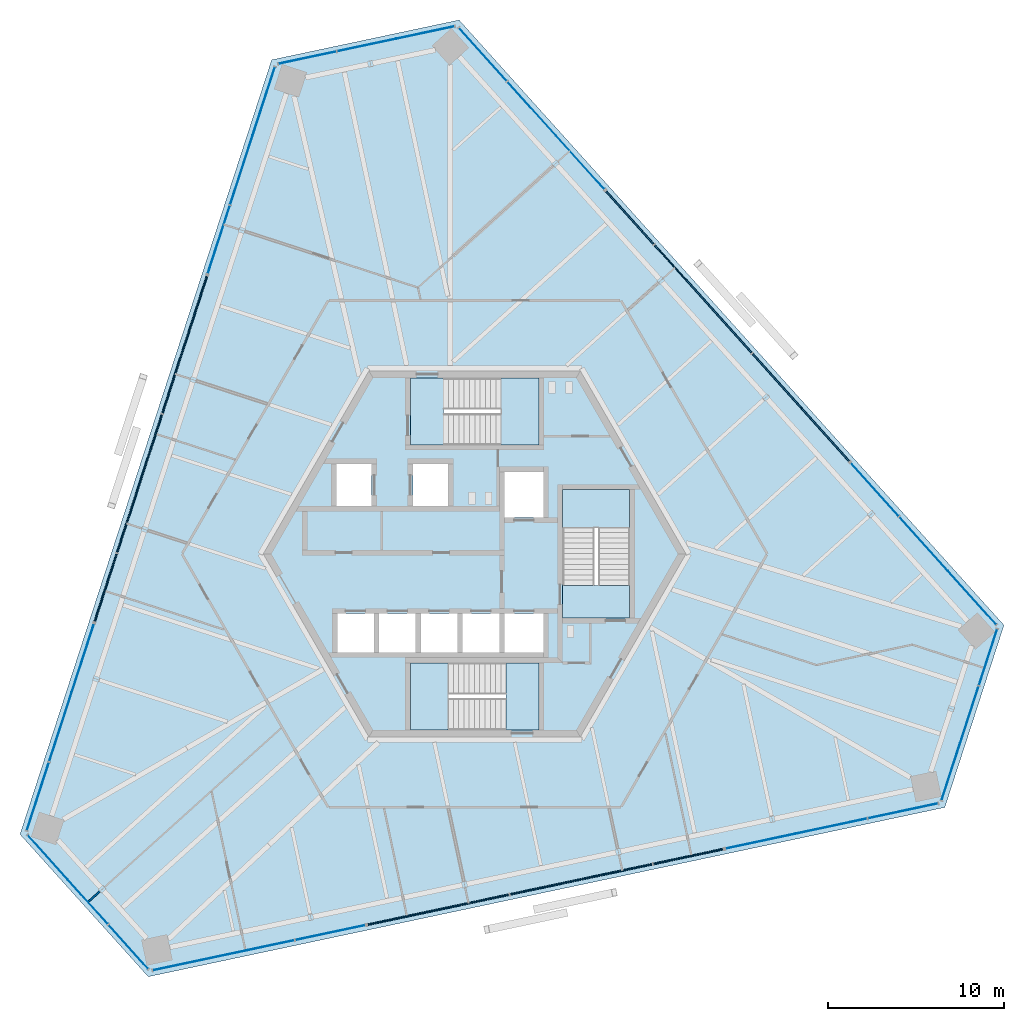
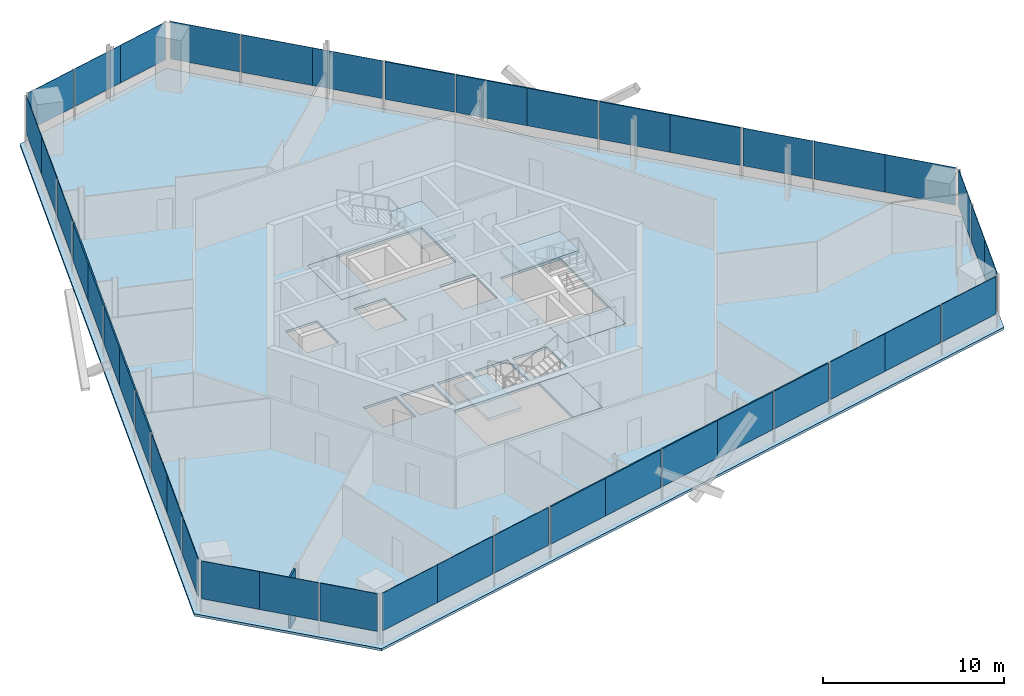
# One storey, part 9 of 15: 42 plates, 7 slabs, 1 wall, 15 elements without a shape of their own.
"""IFC4 building model written with IfcOpenShell, lengths in metres."""

from ifc_helpers import new_model, si_unit, direction, frame, frame_2d, origin, origin_2d, place, context, subcontext, project, spatial, polyline, rectangle, outline, extrude, source, transform, mapped, material, layer, layer_set, type_object, element, aggregate, save


model = new_model("IFC4")

# Units and contexts
model_context = context("Model", 3, precision=1e-05, world=origin(), true_north=direction((0.0, 1.0)))
body_context = subcontext(model_context, "Body", "Model", "MODEL_VIEW")
ifc_project = project(units=[si_unit("LENGTHUNIT", "METRE"), si_unit("AREAUNIT", "SQUARE_METRE"), si_unit("VOLUMEUNIT", "CUBIC_METRE"), si_unit("PLANEANGLEUNIT", "RADIAN"), si_unit("MASSUNIT", "GRAM", prefix="KILO")], contexts=[model_context])

# Site, building, storey
site_placement = place(None, origin())
site = spatial("IfcSite", under=ifc_project, at=site_placement, CompositionType="ELEMENT")
building_placement = place(site_placement, origin())
building = spatial("IfcBuilding", under=site, at=building_placement, Name="Triune Harvest Tower", CompositionType="ELEMENT")
storey_placement = place(building_placement, frame((0.0, 0.0, 277.5)))
storey = spatial("IfcBuildingStorey", under=building, at=storey_placement, Name="L73", CompositionType="ELEMENT", Elevation=277.5)

# Slab
ifc_material_1 = material(Name="Concrete 40 MPa", Category="concrete")
ifc_layer_1 = layer(ifc_material_1, 0.159912109375)
ifc_layer_set_1 = layer_set([ifc_layer_1], Name="Concrete 40 MPa")
slab_type_1 = type_object("IfcSlabType", Name="SL-1 Composite floor slab 160", PredefinedType="FLOOR", material=ifc_layer_set_1)
shared_shape_1 = source(origin(), body_context, "Body", "SweptSolid", [
    extrude(outline(polyline([(30.05810546875, -4.04638671875), (-0.88232421875, 30.31640625), (-11.524658203125, 28.054443359375), (-25.813720703125, -15.922607421875), (-18.533447265625, -24.0078125), (26.696044921875, -14.39404296875), (30.05810546875, -4.04638671875)]), holes=[polyline([(-5.72509765625, -5.590087890625), (-5.72509765625, -3.389892578125), (-7.800048828125, -3.389892578125), (-7.800048828125, -5.590087890625), (-5.72509765625, -5.590087890625)]), polyline([(-3.35009765625, -5.590087890625), (-3.35009765625, -3.389892578125), (-5.425048828125, -3.389892578125), (-5.425048828125, -5.590087890625), (-3.35009765625, -5.590087890625)]), polyline([(-0.97509765625, -5.590087890625), (-0.97509765625, -3.389892578125), (-3.050048828125, -3.389892578125), (-3.050048828125, -5.590087890625), (-0.97509765625, -5.590087890625)]), polyline([(1.39990234375, -5.590087890625), (1.39990234375, -3.389892578125), (-0.675048828125, -3.389892578125), (-0.675048828125, -5.590087890625), (1.39990234375, -5.590087890625)]), polyline([(3.89990234375, 2.06005859375), (3.89990234375, 4.659912109375), (1.699951171875, 4.659912109375), (1.699951171875, 2.06005859375), (3.89990234375, 2.06005859375)]), polyline([(3.89990234375, -5.590087890625), (3.89990234375, -3.389892578125), (1.699951171875, -3.389892578125), (1.699951171875, -5.590087890625), (3.89990234375, -5.590087890625)]), polyline([(-5.85009765625, 2.7099609375), (-5.85009765625, 5.110107421875), (-7.85009765625, 5.110107421875), (-7.85009765625, 2.7099609375), (-5.85009765625, 2.7099609375)]), polyline([(-1.5, 2.7099609375), (-1.5, 5.110107421875), (-3.5, 5.110107421875), (-3.5, 2.7099609375), (-1.5, 2.7099609375)]), polyline([(3.64990234375, 6.18994140625), (3.64990234375, 9.989990234375), (-3.64990234375, 9.989990234375), (-3.64990234375, 6.18994140625), (3.64990234375, 6.18994140625)]), polyline([(3.64990234375, -9.989990234375), (3.64990234375, -6.18994140625), (-3.64990234375, -6.18994140625), (-3.64990234375, -9.989990234375), (3.64990234375, -9.989990234375)]), polyline([(8.800048828125, -3.64990234375), (8.800048828125, 3.64990234375), (5.0, 3.64990234375), (5.0, -3.64990234375), (8.800048828125, -3.64990234375)])]), origin(), (0.0, 0.0, 1.0), 0.159912109375),
])
slab_1_placement = place(storey_placement, frame((0.0, 0.0, -0.159912109375)))
element("IfcSlab", 1, at=slab_1_placement, inside=storey, type_object=slab_type_1, Name="slab/L73/1", PredefinedType="FLOOR", context=body_context, shape_type="MappedRepresentation", body=[
    mapped(shared_shape_1, transform((0.0, 0.0, 0.0), scale=1.0)),
])

# Stair, slabs
ifc_material_2 = material(Name="Concrete 40 MPa", Category="concrete")
stair_type = type_object("IfcStairType", Name="Exit stair 1800 half turn", PredefinedType="HALF_TURN_STAIR", material=ifc_material_2)
stair_1_placement = place(storey_placement, origin())
stair_1 = element("IfcStair", 2, at=stair_1_placement, inside=storey, type_object=stair_type, Name="Exit stair north", PredefinedType="HALF_TURN_STAIR")
ifc_material_3 = material(Name="Concrete 40 MPa", Category="concrete")
ifc_layer_2 = layer(ifc_material_3, 0.199951171875)
ifc_layer_set_2 = layer_set([ifc_layer_2], Name="Concrete 40 MPa")
slab_type_2 = type_object("IfcSlabType", Name="Stair landing 200", PredefinedType="LANDING", material=ifc_layer_set_2)
shared_shape_2 = source(origin(), body_context, "Body", "SweptSolid", [
    extrude(outline(polyline([(1.510009765625, 6.18994140625), (3.64990234375, 6.18994140625), (3.64990234375, 9.989990234375), (1.510009765625, 9.989990234375), (1.510009765625, 6.18994140625)])), origin(), (0.0, 0.0, 1.0), 0.199951171875),
])
slab_2_placement = place(storey_placement, frame((0.0, 0.0, 1.60009765625)))
slab_2 = element("IfcSlab", 3, at=slab_2_placement, type_object=slab_type_2, Name="ST-1 landing 2", PredefinedType="LANDING", context=body_context, shape_type="MappedRepresentation", body=[
    mapped(shared_shape_2, transform((0.0, 0.0, 0.0), scale=1.0)),
])
shared_shape_3 = source(origin(), body_context, "Body", "SweptSolid", [
    extrude(outline(polyline([(-3.64990234375, 6.18994140625), (-1.780029296875, 6.18994140625), (-1.780029296875, 9.989990234375), (-3.64990234375, 9.989990234375), (-3.64990234375, 6.18994140625)])), origin(), (0.0, 0.0, 1.0), 0.199951171875),
])
slab_3_placement = place(storey_placement, frame((0.0, 0.0, -0.199951171875)))
slab_3 = element("IfcSlab", 4, at=slab_3_placement, type_object=slab_type_2, Name="ST-1 landing 1", PredefinedType="LANDING", context=body_context, shape_type="MappedRepresentation", body=[
    mapped(shared_shape_3, transform((0.0, 0.0, 0.0), scale=1.0)),
])
aggregate(stair_1, [slab_3, slab_2])

stair_2_placement = place(storey_placement, origin())
stair_2 = element("IfcStair", 5, at=stair_2_placement, inside=storey, type_object=stair_type, Name="Exit stair south", PredefinedType="HALF_TURN_STAIR")
shared_shape_4 = source(origin(), body_context, "Body", "SweptSolid", [
    extrude(outline(polyline([(-1.510009765625, -6.18994140625), (-3.64990234375, -6.18994140625), (-3.64990234375, -9.989990234375), (-1.510009765625, -9.989990234375), (-1.510009765625, -6.18994140625)])), origin(), (0.0, 0.0, 1.0), 0.199951171875),
])
slab_4_placement = place(storey_placement, frame((0.0, 0.0, 1.60009765625)))
slab_4 = element("IfcSlab", 6, at=slab_4_placement, type_object=slab_type_2, Name="ST-2 landing 2", PredefinedType="LANDING", context=body_context, shape_type="MappedRepresentation", body=[
    mapped(shared_shape_4, transform((0.0, 0.0, 0.0), scale=1.0)),
])
shared_shape_5 = source(origin(), body_context, "Body", "SweptSolid", [
    extrude(outline(polyline([(3.64990234375, -6.18994140625), (1.780029296875, -6.18994140625), (1.780029296875, -9.989990234375), (3.64990234375, -9.989990234375), (3.64990234375, -6.18994140625)])), origin(), (0.0, 0.0, 1.0), 0.199951171875),
])
slab_5_placement = place(storey_placement, frame((0.0, 0.0, -0.199951171875)))
slab_5 = element("IfcSlab", 7, at=slab_5_placement, type_object=slab_type_2, Name="ST-2 landing 1", PredefinedType="LANDING", context=body_context, shape_type="MappedRepresentation", body=[
    mapped(shared_shape_5, transform((0.0, 0.0, 0.0), scale=1.0)),
])
aggregate(stair_2, [slab_5, slab_4])

stair_3_placement = place(storey_placement, origin())
stair_3 = element("IfcStair", 8, at=stair_3_placement, inside=storey, type_object=stair_type, Name="Exit stair east", PredefinedType="HALF_TURN_STAIR")
shared_shape_6 = source(origin(), body_context, "Body", "SweptSolid", [
    extrude(outline(polyline([(8.800048828125, 1.510009765625), (8.800048828125, 3.64990234375), (5.0, 3.64990234375), (5.0, 1.510009765625), (8.800048828125, 1.510009765625)])), origin(), (0.0, 0.0, 1.0), 0.199951171875),
])
slab_6_placement = place(storey_placement, frame((0.0, 0.0, 1.60009765625)))
slab_6 = element("IfcSlab", 9, at=slab_6_placement, type_object=slab_type_2, Name="ST-3 landing 2", PredefinedType="LANDING", context=body_context, shape_type="MappedRepresentation", body=[
    mapped(shared_shape_6, transform((0.0, 0.0, 0.0), scale=1.0)),
])
shared_shape_7 = source(origin(), body_context, "Body", "SweptSolid", [
    extrude(outline(polyline([(8.800048828125, -3.64990234375), (8.800048828125, -1.780029296875), (5.0, -1.780029296875), (5.0, -3.64990234375), (8.800048828125, -3.64990234375)])), origin(), (0.0, 0.0, 1.0), 0.199951171875),
])
slab_7_placement = place(storey_placement, frame((0.0, 0.0, -0.199951171875)))
slab_7 = element("IfcSlab", 10, at=slab_7_placement, type_object=slab_type_2, Name="ST-3 landing 1", PredefinedType="LANDING", context=body_context, shape_type="MappedRepresentation", body=[
    mapped(shared_shape_7, transform((0.0, 0.0, 0.0), scale=1.0)),
])
aggregate(stair_3, [slab_7, slab_6])

# Curtain wall, plate
ifc_material_4 = material(Name="Aluminium bronze anodised", Category="aluminium")
curtain_wall_type_1 = type_object("IfcCurtainWallType", Name="CW-1 Tower stick curtain wall", PredefinedType="NOTDEFINED", material=ifc_material_4)
curtain_wall_1_placement = place(storey_placement, origin())
curtain_wall_1 = element("IfcCurtainWall", 11, at=curtain_wall_1_placement, inside=storey, type_object=curtain_wall_type_1, Name="CW-1 B7-F2 L73 run 1")
ifc_material_5 = material(Name="Glass", Category="glass")
ifc_layer_3 = layer(ifc_material_5, 0.031982421875)
ifc_layer_set_3 = layer_set([ifc_layer_3], Name="Glass")
plate_type_1 = type_object("IfcPlateType", Name="GL-1 panel 32", PredefinedType="CURTAIN_PANEL", material=ifc_layer_set_3)
shared_shape_8 = source(origin(), body_context, "Body", "SweptSolid", [
    extrude(rectangle(XDim=3.376220703125, YDim=0.031982421875, at=origin_2d()), origin(), (0.0, 0.0, 1.0), 2.5400390625),
])
plate_1_placement = place(storey_placement, frame((-2.802001953125, 29.601806640625, 0.89990234375), z_axis=(0.0, 0.0, 1.0), x_axis=(-0.978149078297, -0.207904739307, 0.0)))
plate_1 = element("IfcPlate", 12, at=plate_1_placement, type_object=plate_type_1, Name="CW-1 panel B7-F2 1.1", PredefinedType="CURTAIN_PANEL", context=body_context, shape_type="MappedRepresentation", body=[
    mapped(shared_shape_8, transform((0.0, 0.0, 0.0), scale=1.0)),
])

curtain_wall_2_placement = place(storey_placement, origin())
curtain_wall_2 = element("IfcCurtainWall", 13, at=curtain_wall_2_placement, inside=storey, type_object=curtain_wall_type_1, Name="CW-1 B7-F4 L73 run 1")
plate_2_placement = place(storey_placement, frame((-24.23486328125, -17.2275390625, 0.89990234375), z_axis=(0.0, 0.0, 1.0), x_axis=(0.669132031472, -0.743143542297, 0.0)))
plate_2 = element("IfcPlate", 14, at=plate_2_placement, type_object=plate_type_1, Name="CW-1 panel B7-F4 1.1", PredefinedType="CURTAIN_PANEL", context=body_context, shape_type="MappedRepresentation", body=[
    mapped(shared_shape_8, transform((0.0, 0.0, 0.0), scale=1.0)),
])

curtain_wall_3_placement = place(storey_placement, origin())
curtain_wall_3 = element("IfcCurtainWall", 15, at=curtain_wall_3_placement, inside=storey, type_object=curtain_wall_type_1, Name="CW-1 B7-F6 L73 run 1")
plate_3_placement = place(storey_placement, frame((27.036865234375, -12.374267578125, 0.89990234375), z_axis=(0.0, 0.0, 1.0), x_axis=(0.309018882717, 0.951055902733, 0.0)))
plate_3 = element("IfcPlate", 16, at=plate_3_placement, type_object=plate_type_1, Name="CW-1 panel B7-F6 1.1", PredefinedType="CURTAIN_PANEL", context=body_context, shape_type="MappedRepresentation", body=[
    mapped(shared_shape_8, transform((0.0, 0.0, 0.0), scale=1.0)),
])

# Plate
shared_shape_9 = source(origin(), body_context, "Body", "SweptSolid", [
    extrude(rectangle(XDim=3.413818359375, YDim=0.031982421875, at=origin_2d()), origin(), (0.0, 0.0, 1.0), 2.5400390625),
])
plate_4_placement = place(storey_placement, frame((-6.122802734375, 28.89599609375, 0.89990234375), z_axis=(0.0, 0.0, 1.0), x_axis=(-0.978149078297, -0.207904739307, 0.0)))
plate_4 = element("IfcPlate", 17, at=plate_4_placement, type_object=plate_type_1, Name="CW-1 panel B7-F2 1.2", PredefinedType="CURTAIN_PANEL", context=body_context, shape_type="MappedRepresentation", body=[
    mapped(shared_shape_9, transform((0.0, 0.0, 0.0), scale=1.0)),
])

plate_5_placement = place(storey_placement, frame((28.0859375, -9.145263671875, 0.89990234375), z_axis=(0.0, 0.0, 1.0), x_axis=(0.309018882717, 0.951055902733, 0.0)))
plate_5 = element("IfcPlate", 18, at=plate_5_placement, type_object=plate_type_1, Name="CW-1 panel B7-F6 1.2", PredefinedType="CURTAIN_PANEL", context=body_context, shape_type="MappedRepresentation", body=[
    mapped(shared_shape_9, transform((0.0, 0.0, 0.0), scale=1.0)),
])

shared_shape_10 = source(origin(), body_context, "Body", "SweptSolid", [
    extrude(rectangle(XDim=3.338623046875, YDim=0.031982421875, at=origin_2d()), origin(), (0.0, 0.0, 1.0), 2.5400390625),
])
plate_6_placement = place(storey_placement, frame((-9.49853515625, 28.178466796875, 0.89990234375), z_axis=(0.0, 0.0, 1.0), x_axis=(-0.978149078297, -0.207904739307, 0.0)))
plate_6 = element("IfcPlate", 19, at=plate_6_placement, type_object=plate_type_1, Name="CW-1 panel B7-F2 1.3", PredefinedType="CURTAIN_PANEL", context=body_context, shape_type="MappedRepresentation", body=[
    mapped(shared_shape_10, transform((0.0, 0.0, 0.0), scale=1.0)),
])

aggregate(curtain_wall_1, [plate_1, plate_4, plate_6])

plate_7_placement = place(storey_placement, frame((-19.65380859375, -22.315185546875, 0.89990234375), z_axis=(0.0, 0.0, 1.0), x_axis=(0.669132031472, -0.743143542297, 0.0)))
plate_7 = element("IfcPlate", 20, at=plate_7_placement, type_object=plate_type_1, Name="CW-1 panel B7-F4 1.3", PredefinedType="CURTAIN_PANEL", context=body_context, shape_type="MappedRepresentation", body=[
    mapped(shared_shape_10, transform((0.0, 0.0, 0.0), scale=1.0)),
])

plate_8_placement = place(storey_placement, frame((29.152587890625, -5.863037109375, 0.89990234375), z_axis=(0.0, 0.0, 1.0), x_axis=(0.309018882717, 0.951055902733, 0.0)))
plate_8 = element("IfcPlate", 21, at=plate_8_placement, type_object=plate_type_1, Name="CW-1 panel B7-F6 1.3", PredefinedType="CURTAIN_PANEL", context=body_context, shape_type="MappedRepresentation", body=[
    mapped(shared_shape_10, transform((0.0, 0.0, 0.0), scale=1.0)),
])

aggregate(curtain_wall_3, [plate_3, plate_5, plate_8])

shared_shape_11 = source(origin(), body_context, "Body", "SweptSolid", [
    extrude(rectangle(XDim=3.41357421875, YDim=0.031982421875, at=origin_2d()), origin(), (0.0, 0.0, 1.0), 2.5400390625),
])
plate_9_placement = place(storey_placement, frame((-21.963134765625, -19.75048828125, 0.89990234375), z_axis=(0.0, 0.0, 1.0), x_axis=(0.669132031472, -0.743143542297, 0.0)))
plate_9 = element("IfcPlate", 22, at=plate_9_placement, type_object=plate_type_1, Name="CW-1 panel B7-F4 1.2", PredefinedType="CURTAIN_PANEL", context=body_context, shape_type="MappedRepresentation", body=[
    mapped(shared_shape_11, transform((0.0, 0.0, 0.0), scale=1.0)),
])

aggregate(curtain_wall_2, [plate_2, plate_9, plate_7])

# Curtain wall, plate
ifc_material_6 = material(Name="Aluminium bronze anodised", Category="aluminium")
curtain_wall_type_2 = type_object("IfcCurtainWallType", Name="CW-7 Tower stick curtain wall with insulated spandrel infill", PredefinedType="NOTDEFINED", material=ifc_material_6)
curtain_wall_4_placement = place(storey_placement, origin())
curtain_wall_4 = element("IfcCurtainWall", 23, at=curtain_wall_4_placement, inside=storey, type_object=curtain_wall_type_2, Name="CW-7 B7-F1 L73 run 1001")
ifc_material_7 = material(Name="Insulated spandrel panel, bronze aluminium pan", Category="aluminium")
ifc_layer_4 = layer(ifc_material_7, 0.080078125)
ifc_layer_set_4 = layer_set([ifc_layer_4], Name="Insulated spandrel panel, bronze aluminium pan")
plate_type_2 = type_object("IfcPlateType", Name="SP-1 insulated spandrel panel 80", PredefinedType="CURTAIN_PANEL", material=ifc_layer_set_4)
shared_shape_12 = source(origin(), body_context, "Body", "SweptSolid", [
    extrude(rectangle(XDim=4.080810546875, YDim=0.080078125, at=origin_2d()), origin(), (0.0, 0.0, 1.0), 2.5400390625),
])
plate_10_placement = place(storey_placement, frame((19.9013671875, 6.785400390625, 0.89990234375), z_axis=(0.0, 0.0, 1.0), x_axis=(-0.669131426809, 0.74314408674, 0.0)))
plate_10 = element("IfcPlate", 24, at=plate_10_placement, type_object=plate_type_2, Name="CW-7 panel B7-F1 1001.1", PredefinedType="CURTAIN_PANEL", context=body_context, shape_type="MappedRepresentation", body=[
    mapped(shared_shape_12, transform((0.0, 0.0, 0.0), scale=1.0)),
])

curtain_wall_5_placement = place(storey_placement, origin())
curtain_wall_5 = element("IfcCurtainWall", 25, at=curtain_wall_5_placement, inside=storey, type_object=curtain_wall_type_2, Name="CW-7 B7-F3 L73 run 1001")
plate_11_placement = place(storey_placement, frame((-15.826904296875, 13.84228515625, 0.89990234375), z_axis=(0.0, 0.0, 1.0), x_axis=(-0.309020017761, -0.951055533932, 0.0)))
plate_11 = element("IfcPlate", 26, at=plate_11_placement, type_object=plate_type_2, Name="CW-7 panel B7-F3 1001.1", PredefinedType="CURTAIN_PANEL", context=body_context, shape_type="MappedRepresentation", body=[
    mapped(shared_shape_12, transform((0.0, 0.0, 0.0), scale=1.0)),
])

curtain_wall_6_placement = place(storey_placement, origin())
curtain_wall_6 = element("IfcCurtainWall", 27, at=curtain_wall_6_placement, inside=storey, type_object=curtain_wall_type_2, Name="CW-7 B7-F5 L73 run 1001")
plate_12_placement = place(storey_placement, frame((-4.07421875, -20.627685546875, 0.89990234375), z_axis=(0.0, 0.0, 1.0), x_axis=(0.978147303245, 0.207913090389, 0.0)))
plate_12 = element("IfcPlate", 28, at=plate_12_placement, type_object=plate_type_2, Name="CW-7 panel B7-F5 1001.1", PredefinedType="CURTAIN_PANEL", context=body_context, shape_type="MappedRepresentation", body=[
    mapped(shared_shape_12, transform((0.0, 0.0, 0.0), scale=1.0)),
])

# Plate
shared_shape_13 = source(origin(), body_context, "Body", "SweptSolid", [
    extrude(rectangle(XDim=4.1181640625, YDim=0.080078125, at=origin_2d()), origin(), (0.0, 0.0, 1.0), 2.5400390625),
])
plate_13_placement = place(storey_placement, frame((17.158203125, 9.83203125, 0.89990234375), z_axis=(0.0, 0.0, 1.0), x_axis=(-0.669131426809, 0.74314408674, 0.0)))
plate_13 = element("IfcPlate", 29, at=plate_13_placement, type_object=plate_type_2, Name="CW-7 panel B7-F1 1001.2", PredefinedType="CURTAIN_PANEL", context=body_context, shape_type="MappedRepresentation", body=[
    mapped(shared_shape_13, transform((0.0, 0.0, 0.0), scale=1.0)),
])

plate_14_placement = place(storey_placement, frame((14.3525390625, 12.9482421875, 0.89990234375), z_axis=(0.0, 0.0, 1.0), x_axis=(-0.669131426809, 0.74314408674, 0.0)))
plate_14 = element("IfcPlate", 30, at=plate_14_placement, type_object=plate_type_2, Name="CW-7 panel B7-F1 1001.3", PredefinedType="CURTAIN_PANEL", context=body_context, shape_type="MappedRepresentation", body=[
    mapped(shared_shape_13, transform((0.0, 0.0, 0.0), scale=1.0)),
])

plate_15_placement = place(storey_placement, frame((11.5966796875, 16.008544921875, 0.89990234375), z_axis=(0.0, 0.0, 1.0), x_axis=(-0.669131426809, 0.74314408674, 0.0)))
plate_15 = element("IfcPlate", 31, at=plate_15_placement, type_object=plate_type_2, Name="CW-7 panel B7-F1 1001.4", PredefinedType="CURTAIN_PANEL", context=body_context, shape_type="MappedRepresentation", body=[
    mapped(shared_shape_13, transform((0.0, 0.0, 0.0), scale=1.0)),
])

plate_16_placement = place(storey_placement, frame((-17.09375, 9.943359375, 0.89990234375), z_axis=(0.0, 0.0, 1.0), x_axis=(-0.309020017761, -0.951055533932, 0.0)))
plate_16 = element("IfcPlate", 32, at=plate_16_placement, type_object=plate_type_2, Name="CW-7 panel B7-F3 1001.2", PredefinedType="CURTAIN_PANEL", context=body_context, shape_type="MappedRepresentation", body=[
    mapped(shared_shape_13, transform((0.0, 0.0, 0.0), scale=1.0)),
])

plate_17_placement = place(storey_placement, frame((-18.3896484375, 5.955322265625, 0.89990234375), z_axis=(0.0, 0.0, 1.0), x_axis=(-0.309020017761, -0.951055533932, 0.0)))
plate_17 = element("IfcPlate", 33, at=plate_17_placement, type_object=plate_type_2, Name="CW-7 panel B7-F3 1001.3", PredefinedType="CURTAIN_PANEL", context=body_context, shape_type="MappedRepresentation", body=[
    mapped(shared_shape_13, transform((0.0, 0.0, 0.0), scale=1.0)),
])

plate_18_placement = place(storey_placement, frame((-19.662353515625, 2.038818359375, 0.89990234375), z_axis=(0.0, 0.0, 1.0), x_axis=(-0.309020017761, -0.951055533932, 0.0)))
plate_18 = element("IfcPlate", 34, at=plate_18_placement, type_object=plate_type_2, Name="CW-7 panel B7-F3 1001.4", PredefinedType="CURTAIN_PANEL", context=body_context, shape_type="MappedRepresentation", body=[
    mapped(shared_shape_13, transform((0.0, 0.0, 0.0), scale=1.0)),
])

plate_19_placement = place(storey_placement, frame((-0.064453125, -19.775390625, 0.89990234375), z_axis=(0.0, 0.0, 1.0), x_axis=(0.978147303245, 0.207913090389, 0.0)))
plate_19 = element("IfcPlate", 35, at=plate_19_placement, type_object=plate_type_2, Name="CW-7 panel B7-F5 1001.2", PredefinedType="CURTAIN_PANEL", context=body_context, shape_type="MappedRepresentation", body=[
    mapped(shared_shape_13, transform((0.0, 0.0, 0.0), scale=1.0)),
])

plate_20_placement = place(storey_placement, frame((4.037353515625, -18.903564453125, 0.89990234375), z_axis=(0.0, 0.0, 1.0), x_axis=(0.978147303245, 0.207913090389, 0.0)))
plate_20 = element("IfcPlate", 36, at=plate_20_placement, type_object=plate_type_2, Name="CW-7 panel B7-F5 1001.3", PredefinedType="CURTAIN_PANEL", context=body_context, shape_type="MappedRepresentation", body=[
    mapped(shared_shape_13, transform((0.0, 0.0, 0.0), scale=1.0)),
])

plate_21_placement = place(storey_placement, frame((8.0654296875, -18.04736328125, 0.89990234375), z_axis=(0.0, 0.0, 1.0), x_axis=(0.978147303245, 0.207913090389, 0.0)))
plate_21 = element("IfcPlate", 37, at=plate_21_placement, type_object=plate_type_2, Name="CW-7 panel B7-F5 1001.4", PredefinedType="CURTAIN_PANEL", context=body_context, shape_type="MappedRepresentation", body=[
    mapped(shared_shape_13, transform((0.0, 0.0, 0.0), scale=1.0)),
])

# Curtain wall, plate
curtain_wall_7_placement = place(storey_placement, origin())
curtain_wall_7 = element("IfcCurtainWall", 38, at=curtain_wall_7_placement, inside=storey, type_object=curtain_wall_type_1, Name="CW-1 B7-F1 L73 run 1")
shared_shape_14 = source(origin(), body_context, "Body", "SweptSolid", [
    extrude(rectangle(XDim=4.080810546875, YDim=0.031982421875, at=origin_2d()), origin(), (0.0, 0.0, 1.0), 2.5400390625),
])
plate_22_placement = place(storey_placement, frame((28.24365234375, -2.4794921875, 0.89990234375), z_axis=(0.0, 0.0, 1.0), x_axis=(-0.669131464034, 0.743144053222, 0.0)))
plate_22 = element("IfcPlate", 39, at=plate_22_placement, type_object=plate_type_1, Name="CW-1 panel B7-F1 1.1", PredefinedType="CURTAIN_PANEL", context=body_context, shape_type="MappedRepresentation", body=[
    mapped(shared_shape_14, transform((0.0, 0.0, 0.0), scale=1.0)),
])

curtain_wall_8_placement = place(storey_placement, origin())
curtain_wall_8 = element("IfcCurtainWall", 40, at=curtain_wall_8_placement, inside=storey, type_object=curtain_wall_type_1, Name="CW-1 B7-F1 L73 run 2001")
plate_23_placement = place(storey_placement, frame((5.99755859375, 22.22705078125, 0.89990234375), z_axis=(0.0, 0.0, 1.0), x_axis=(-0.669131464034, 0.743144053222, 0.0)))
plate_23 = element("IfcPlate", 41, at=plate_23_placement, type_object=plate_type_1, Name="CW-1 panel B7-F1 2001.1", PredefinedType="CURTAIN_PANEL", context=body_context, shape_type="MappedRepresentation", body=[
    mapped(shared_shape_14, transform((0.0, 0.0, 0.0), scale=1.0)),
])

curtain_wall_9_placement = place(storey_placement, origin())
curtain_wall_9 = element("IfcCurtainWall", 42, at=curtain_wall_9_placement, inside=storey, type_object=curtain_wall_type_1, Name="CW-1 B7-F3 L73 run 1")
plate_24_placement = place(storey_placement, frame((-11.974365234375, 25.699462890625, 0.89990234375), z_axis=(0.0, 0.0, 1.0), x_axis=(-0.309013302707, -0.951057715783, 0.0)))
plate_24 = element("IfcPlate", 43, at=plate_24_placement, type_object=plate_type_1, Name="CW-1 panel B7-F3 1.1", PredefinedType="CURTAIN_PANEL", context=body_context, shape_type="MappedRepresentation", body=[
    mapped(shared_shape_14, transform((0.0, 0.0, 0.0), scale=1.0)),
])

curtain_wall_10_placement = place(storey_placement, origin())
curtain_wall_10 = element("IfcCurtainWall", 44, at=curtain_wall_10_placement, inside=storey, type_object=curtain_wall_type_1, Name="CW-1 B7-F3 L73 run 2001")
plate_25_placement = place(storey_placement, frame((-22.248046875, -5.919677734375, 0.89990234375), z_axis=(0.0, 0.0, 1.0), x_axis=(-0.309013302707, -0.951057715783, 0.0)))
plate_25 = element("IfcPlate", 45, at=plate_25_placement, type_object=plate_type_1, Name="CW-1 panel B7-F3 2001.1", PredefinedType="CURTAIN_PANEL", context=body_context, shape_type="MappedRepresentation", body=[
    mapped(shared_shape_14, transform((0.0, 0.0, 0.0), scale=1.0)),
])

curtain_wall_11_placement = place(storey_placement, origin())
curtain_wall_11 = element("IfcCurtainWall", 46, at=curtain_wall_11_placement, inside=storey, type_object=curtain_wall_type_1, Name="CW-1 B7-F5 L73 run 1")
plate_26_placement = place(storey_placement, frame((-16.269287109375, -23.219970703125, 0.89990234375), z_axis=(0.0, 0.0, 1.0), x_axis=(0.978148125654, 0.207909221248, 0.0)))
plate_26 = element("IfcPlate", 47, at=plate_26_placement, type_object=plate_type_1, Name="CW-1 panel B7-F5 1.1", PredefinedType="CURTAIN_PANEL", context=body_context, shape_type="MappedRepresentation", body=[
    mapped(shared_shape_14, transform((0.0, 0.0, 0.0), scale=1.0)),
])

curtain_wall_12_placement = place(storey_placement, origin())
curtain_wall_12 = element("IfcCurtainWall", 48, at=curtain_wall_12_placement, inside=storey, type_object=curtain_wall_type_1, Name="CW-1 B7-F5 L73 run 2001")
plate_27_placement = place(storey_placement, frame((16.25048828125, -16.3076171875, 0.89990234375), z_axis=(0.0, 0.0, 1.0), x_axis=(0.978148125654, 0.207909221248, 0.0)))
plate_27 = element("IfcPlate", 49, at=plate_27_placement, type_object=plate_type_1, Name="CW-1 panel B7-F5 2001.1", PredefinedType="CURTAIN_PANEL", context=body_context, shape_type="MappedRepresentation", body=[
    mapped(shared_shape_14, transform((0.0, 0.0, 0.0), scale=1.0)),
])

# Plate
shared_shape_15 = source(origin(), body_context, "Body", "SweptSolid", [
    extrude(rectangle(XDim=4.1181640625, YDim=0.031982421875, at=origin_2d()), origin(), (0.0, 0.0, 1.0), 2.5400390625),
])
plate_28_placement = place(storey_placement, frame((25.50048828125, 0.56689453125, 0.89990234375), z_axis=(0.0, 0.0, 1.0), x_axis=(-0.669131464034, 0.743144053222, 0.0)))
plate_28 = element("IfcPlate", 50, at=plate_28_placement, type_object=plate_type_1, Name="CW-1 panel B7-F1 1.2", PredefinedType="CURTAIN_PANEL", context=body_context, shape_type="MappedRepresentation", body=[
    mapped(shared_shape_15, transform((0.0, 0.0, 0.0), scale=1.0)),
])

plate_29_placement = place(storey_placement, frame((3.25439453125, 25.273681640625, 0.89990234375), z_axis=(0.0, 0.0, 1.0), x_axis=(-0.669131464034, 0.743144053222, 0.0)))
plate_29 = element("IfcPlate", 51, at=plate_29_placement, type_object=plate_type_1, Name="CW-1 panel B7-F1 2001.2", PredefinedType="CURTAIN_PANEL", context=body_context, shape_type="MappedRepresentation", body=[
    mapped(shared_shape_15, transform((0.0, 0.0, 0.0), scale=1.0)),
])

shared_shape_16 = source(origin(), body_context, "Body", "SweptSolid", [
    extrude(rectangle(XDim=4.043212890625, YDim=0.031982421875, at=origin_2d()), origin(), (0.0, 0.0, 1.0), 2.5400390625),
])
plate_30_placement = place(storey_placement, frame((22.7197265625, 3.6552734375, 0.89990234375), z_axis=(0.0, 0.0, 1.0), x_axis=(-0.669131464034, 0.743144053222, 0.0)))
plate_30 = element("IfcPlate", 52, at=plate_30_placement, type_object=plate_type_1, Name="CW-1 panel B7-F1 1.3", PredefinedType="CURTAIN_PANEL", context=body_context, shape_type="MappedRepresentation", body=[
    mapped(shared_shape_16, transform((0.0, 0.0, 0.0), scale=1.0)),
])

aggregate(curtain_wall_7, [plate_22, plate_28, plate_30])

plate_31_placement = place(storey_placement, frame((0.4736328125, 28.362060546875, 0.89990234375), z_axis=(0.0, 0.0, 1.0), x_axis=(-0.669131464034, 0.743144053222, 0.0)))
plate_31 = element("IfcPlate", 53, at=plate_31_placement, type_object=plate_type_1, Name="CW-1 panel B7-F1 2001.3", PredefinedType="CURTAIN_PANEL", context=body_context, shape_type="MappedRepresentation", body=[
    mapped(shared_shape_16, transform((0.0, 0.0, 0.0), scale=1.0)),
])

aggregate(curtain_wall_8, [plate_23, plate_29, plate_31])

plate_32_placement = place(storey_placement, frame((-14.525390625, 17.84814453125, 0.89990234375), z_axis=(0.0, 0.0, 1.0), x_axis=(-0.309013302707, -0.951057715783, 0.0)))
plate_32 = element("IfcPlate", 54, at=plate_32_placement, type_object=plate_type_1, Name="CW-1 panel B7-F3 1.3", PredefinedType="CURTAIN_PANEL", context=body_context, shape_type="MappedRepresentation", body=[
    mapped(shared_shape_16, transform((0.0, 0.0, 0.0), scale=1.0)),
])

plate_33_placement = place(storey_placement, frame((-24.799072265625, -13.770751953125, 0.89990234375), z_axis=(0.0, 0.0, 1.0), x_axis=(-0.309013302707, -0.951057715783, 0.0)))
plate_33 = element("IfcPlate", 55, at=plate_33_placement, type_object=plate_type_1, Name="CW-1 panel B7-F3 2001.3", PredefinedType="CURTAIN_PANEL", context=body_context, shape_type="MappedRepresentation", body=[
    mapped(shared_shape_16, transform((0.0, 0.0, 0.0), scale=1.0)),
])

plate_34_placement = place(storey_placement, frame((-8.1943359375, -21.50341796875, 0.89990234375), z_axis=(0.0, 0.0, 1.0), x_axis=(0.978148125654, 0.207909221248, 0.0)))
plate_34 = element("IfcPlate", 56, at=plate_34_placement, type_object=plate_type_1, Name="CW-1 panel B7-F5 1.3", PredefinedType="CURTAIN_PANEL", context=body_context, shape_type="MappedRepresentation", body=[
    mapped(shared_shape_16, transform((0.0, 0.0, 0.0), scale=1.0)),
])

plate_35_placement = place(storey_placement, frame((24.325439453125, -14.59130859375, 0.89990234375), z_axis=(0.0, 0.0, 1.0), x_axis=(0.978148125654, 0.207909221248, 0.0)))
plate_35 = element("IfcPlate", 57, at=plate_35_placement, type_object=plate_type_1, Name="CW-1 panel B7-F5 2001.3", PredefinedType="CURTAIN_PANEL", context=body_context, shape_type="MappedRepresentation", body=[
    mapped(shared_shape_16, transform((0.0, 0.0, 0.0), scale=1.0)),
])

shared_shape_17 = source(origin(), body_context, "Body", "SweptSolid", [
    extrude(rectangle(XDim=4.118408203125, YDim=0.031982421875, at=origin_2d()), origin(), (0.0, 0.0, 1.0), 2.5400390625),
])
plate_36_placement = place(storey_placement, frame((-13.2412109375, 21.800537109375, 0.89990234375), z_axis=(0.0, 0.0, 1.0), x_axis=(-0.309013302707, -0.951057715783, 0.0)))
plate_36 = element("IfcPlate", 58, at=plate_36_placement, type_object=plate_type_1, Name="CW-1 panel B7-F3 1.2", PredefinedType="CURTAIN_PANEL", context=body_context, shape_type="MappedRepresentation", body=[
    mapped(shared_shape_17, transform((0.0, 0.0, 0.0), scale=1.0)),
])

aggregate(curtain_wall_9, [plate_24, plate_36, plate_32])

plate_37_placement = place(storey_placement, frame((-23.514892578125, -9.818359375, 0.89990234375), z_axis=(0.0, 0.0, 1.0), x_axis=(-0.309013302707, -0.951057715783, 0.0)))
plate_37 = element("IfcPlate", 59, at=plate_37_placement, type_object=plate_type_1, Name="CW-1 panel B7-F3 2001.2", PredefinedType="CURTAIN_PANEL", context=body_context, shape_type="MappedRepresentation", body=[
    mapped(shared_shape_17, transform((0.0, 0.0, 0.0), scale=1.0)),
])

aggregate(curtain_wall_10, [plate_25, plate_37, plate_33])

plate_38_placement = place(storey_placement, frame((-12.25927734375, -22.367431640625, 0.89990234375), z_axis=(0.0, 0.0, 1.0), x_axis=(0.978148125654, 0.207909221248, 0.0)))
plate_38 = element("IfcPlate", 60, at=plate_38_placement, type_object=plate_type_1, Name="CW-1 panel B7-F5 1.2", PredefinedType="CURTAIN_PANEL", context=body_context, shape_type="MappedRepresentation", body=[
    mapped(shared_shape_17, transform((0.0, 0.0, 0.0), scale=1.0)),
])

aggregate(curtain_wall_11, [plate_26, plate_38, plate_34])

plate_39_placement = place(storey_placement, frame((20.260498046875, -15.455322265625, 0.89990234375), z_axis=(0.0, 0.0, 1.0), x_axis=(0.978148125654, 0.207909221248, 0.0)))
plate_39 = element("IfcPlate", 61, at=plate_39_placement, type_object=plate_type_1, Name="CW-1 panel B7-F5 2001.2", PredefinedType="CURTAIN_PANEL", context=body_context, shape_type="MappedRepresentation", body=[
    mapped(shared_shape_17, transform((0.0, 0.0, 0.0), scale=1.0)),
])

aggregate(curtain_wall_12, [plate_27, plate_39, plate_35])

shared_shape_18 = source(origin(), body_context, "Body", "SweptSolid", [
    extrude(rectangle(XDim=4.043212890625, YDim=0.080078125, at=origin_2d()), origin(), (0.0, 0.0, 1.0), 2.5400390625),
])
plate_40_placement = place(storey_placement, frame((8.81591796875, 19.096923828125, 0.89990234375), z_axis=(0.0, 0.0, 1.0), x_axis=(-0.669131426809, 0.74314408674, 0.0)))
plate_40 = element("IfcPlate", 62, at=plate_40_placement, type_object=plate_type_2, Name="CW-7 panel B7-F1 1001.5", PredefinedType="CURTAIN_PANEL", context=body_context, shape_type="MappedRepresentation", body=[
    mapped(shared_shape_18, transform((0.0, 0.0, 0.0), scale=1.0)),
])

aggregate(curtain_wall_4, [plate_10, plate_13, plate_14, plate_15, plate_40])

plate_41_placement = place(storey_placement, frame((-20.946533203125, -1.91357421875, 0.89990234375), z_axis=(0.0, 0.0, 1.0), x_axis=(-0.309020017761, -0.951055533932, 0.0)))
plate_41 = element("IfcPlate", 63, at=plate_41_placement, type_object=plate_type_2, Name="CW-7 panel B7-F3 1001.5", PredefinedType="CURTAIN_PANEL", context=body_context, shape_type="MappedRepresentation", body=[
    mapped(shared_shape_18, transform((0.0, 0.0, 0.0), scale=1.0)),
])

aggregate(curtain_wall_5, [plate_11, plate_16, plate_17, plate_18, plate_41])

plate_42_placement = place(storey_placement, frame((12.13037109375, -17.183349609375, 0.89990234375), z_axis=(0.0, 0.0, 1.0), x_axis=(0.978147303245, 0.207913090389, 0.0)))
plate_42 = element("IfcPlate", 64, at=plate_42_placement, type_object=plate_type_2, Name="CW-7 panel B7-F5 1001.5", PredefinedType="CURTAIN_PANEL", context=body_context, shape_type="MappedRepresentation", body=[
    mapped(shared_shape_18, transform((0.0, 0.0, 0.0), scale=1.0)),
])

aggregate(curtain_wall_6, [plate_12, plate_19, plate_20, plate_21, plate_42])

# Wall
ifc_material_8 = material(Name="Gypsum board on steel studs", Category="steel")
ifc_layer_5 = layer(ifc_material_8, 0.10009765625)
ifc_layer_set_5 = layer_set([ifc_layer_5], Name="Gypsum board on steel studs")
wall_type = type_object("IfcWallType", Name="Partition 100 mm", PredefinedType="PARTITIONING", material=ifc_layer_set_5)
shared_shape_19 = source(origin(), body_context, "Body", "SweptSolid", [
    extrude(rectangle(XDim=0.915283203125, YDim=0.10009765625, at=frame_2d((0.45751953125, 0.0))), origin(), (0.0, 0.0, 1.0), 3.43994140625),
])
wall_placement = place(storey_placement, frame((-21.95068359375, -19.764404296875, 0.0), z_axis=(0.0, 0.0, 1.0), x_axis=(0.743214552861, 0.669053158139, 0.0)))
element("IfcWall", 65, at=wall_placement, inside=storey, type_object=wall_type, Name="Partition L73 024", PredefinedType="PARTITIONING", context=body_context, shape_type="MappedRepresentation", body=[
    mapped(shared_shape_19, transform((0.0, 0.0, 0.0), scale=1.0)),
])

save(model, "model.ifc")
